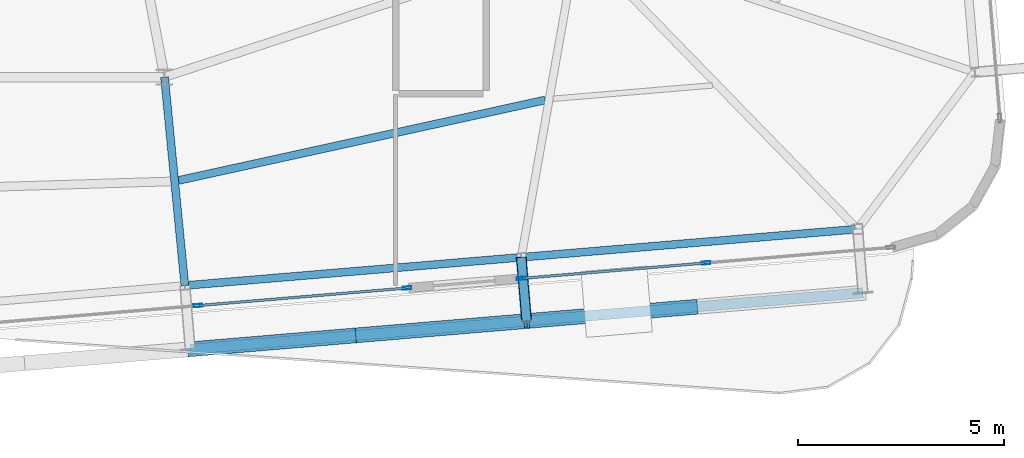
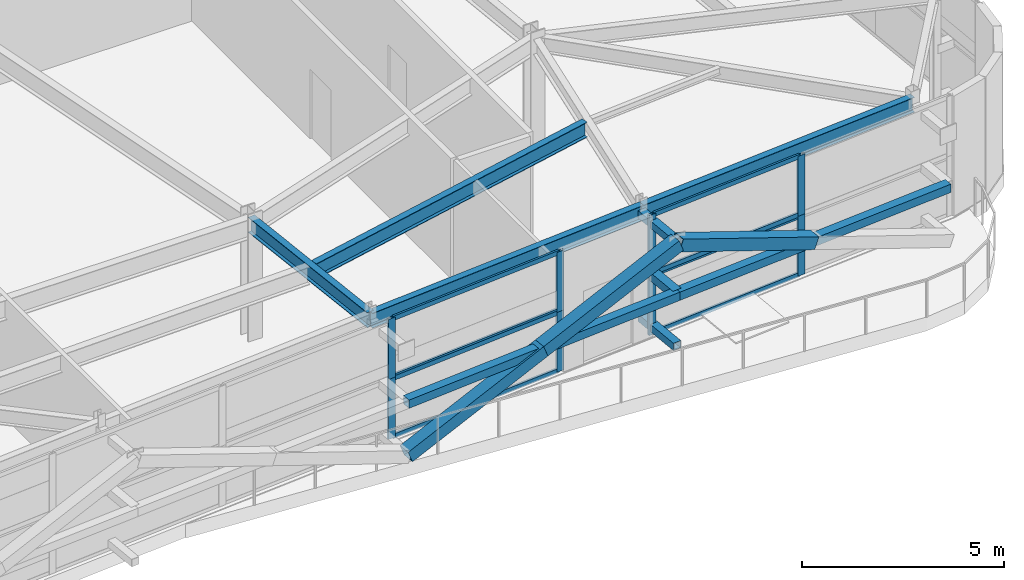
# One storey, part 14 of 38: 24 members, 4 beams, 4 elements without a shape of their own.
"""IFC4 building model written with IfcOpenShell, lengths in metres."""

from ifc_helpers import new_model, si_unit, direction, frame, origin, origin_2d, place, context, subcontext, project, spatial, hollow_rectangle, i_section, extrude, source, transform, mapped, material, layer, layer_set, material_profile, profile_set, type_object, element, aggregate, save


model = new_model("IFC4")

# Units and contexts
model_context = context("Model", 3, precision=1e-05, world=origin(), true_north=direction((0.0, 1.0)))
body_context = subcontext(model_context, "Body", "Model", "MODEL_VIEW")
ifc_project = project(units=[si_unit("LENGTHUNIT", "METRE"), si_unit("AREAUNIT", "SQUARE_METRE"), si_unit("VOLUMEUNIT", "CUBIC_METRE"), si_unit("PLANEANGLEUNIT", "RADIAN"), si_unit("MASSUNIT", "GRAM", prefix="KILO")], contexts=[model_context])

# Site, building, storey
site_placement = place(None, origin())
site = spatial("IfcSite", under=ifc_project, at=site_placement, CompositionType="ELEMENT")
building_placement = place(site_placement, origin())
building = spatial("IfcBuilding", under=site, at=building_placement, Name="Taldren Reach Tower", CompositionType="ELEMENT")
storey_placement = place(building_placement, frame((0.0, 0.0, 168.699951171875)))
storey = spatial("IfcBuildingStorey", under=building, at=storey_placement, Name="L51", CompositionType="ELEMENT", Elevation=168.699951171875)

# Member
ifc_material_1 = material(Name="Steel Gr 350 (C350L0)", Category="steel")
ifc_material_profile_1 = material_profile(ifc_material_1, hollow_rectangle(XDim=0.25, YDim=0.25, WallThickness=0.010009765625, at=origin_2d()), Name="250x250x10.0SHS")
ifc_profile_set_1 = profile_set([ifc_material_profile_1], Name="Steel Gr 350 (C350L0)")
member_type_1 = type_object("IfcMemberType", Name="MB-POST250", PredefinedType="POST", material=ifc_profile_set_1)
shared_shape_1 = source(origin(), body_context, "Body", "SweptSolid", [
    extrude(hollow_rectangle(XDim=0.25, YDim=0.25, WallThickness=0.010009765625, at=origin_2d()), origin(), (0.0, 0.0, 1.0), 1.550048828125),
])
member_1_placement = place(storey_placement, frame((50.644775390625, 4.83203125, 1.78515625), z_axis=(0.083788408178, -0.996483568683, 0.0), x_axis=(0.996483568683, 0.083788408178, 0.0)))
element("IfcMember", 1, at=member_1_placement, inside=storey, type_object=member_type_1, Name="Exoskeleton mid-tier diaphragm tie B4-S5 L51", PredefinedType="POST", context=body_context, shape_type="MappedRepresentation", body=[
    mapped(shared_shape_1, transform((0.0, 0.0, 0.0), scale=1.0)),
])

# Beams
ifc_material_2 = material(Name="Steel Gr 350 (350PLUS)", Category="steel")
ifc_material_profile_2 = material_profile(ifc_material_2, i_section(OverallWidth=0.18994140625, OverallDepth=0.4541015625, WebThickness=0.008544921875, FlangeThickness=0.0126953125, at=origin_2d()), Name="460UB67.1")
ifc_profile_set_2 = profile_set([ifc_material_profile_2], Name="Steel Gr 350 (350PLUS)")
beam_type_1 = type_object("IfcBeamType", Name="SP-UB460B", PredefinedType="SPANDREL", material=ifc_profile_set_2)
shared_shape_2 = source(origin(), body_context, "Body", "SweptSolid", [
    extrude(i_section(OverallWidth=0.18994140625, OverallDepth=0.4541015625, WebThickness=0.008544921875, FlangeThickness=0.0126953125, at=origin_2d()), origin(), (0.0, 0.0, 1.0), 8.179931640625),
])
for number, where, z_axis, x_axis, name in (
    (2, (42.49365234375, 4.1474609375, 3.403076171875), (0.99649182565, 0.08369015123, 0.0), (-0.08369015123, 0.99649182565, 0.0), "Perimeter spandrel B4 S4-S5 L51"),
    (3, (50.644775390625, 4.83203125, 3.403076171875), (0.996494523218, 0.083658025296, 0.0), (-0.083658025296, 0.996494523218, 0.0), "Perimeter spandrel B4 S5-S6 L51"),
):
    element("IfcBeam", number, at=place(storey_placement, frame(where, z_axis=z_axis, x_axis=x_axis)), inside=storey, type_object=beam_type_1, Name=name, PredefinedType="SPANDREL", context=body_context, shape_type="MappedRepresentation", body=[
        mapped(shared_shape_2, transform((0.0, 0.0, 0.0), scale=1.0)),
    ])
ifc_material_profile_3 = material_profile(ifc_material_2, i_section(OverallWidth=0.19091796875, OverallDepth=0.4599609375, WebThickness=0.010009765625, FlangeThickness=0.01611328125, at=origin_2d()), Name="460UB82.1")
ifc_profile_set_3 = profile_set([ifc_material_profile_3], Name="Steel Gr 350 (350PLUS)")
beam_type_2 = type_object("IfcBeamType", Name="BM-UB460A", PredefinedType="BEAM", material=ifc_profile_set_3)
shared_shape_3 = source(origin(), body_context, "Body", "SweptSolid", [
    extrude(i_section(OverallWidth=0.19091796875, OverallDepth=0.4599609375, WebThickness=0.010009765625, FlangeThickness=0.01611328125, at=origin_2d()), origin(), (0.0, 0.0, 1.0), 5.07666015625),
])
beam_1_placement = place(storey_placement, frame((42.0, 9.199951171875, 3.400146484375), z_axis=(0.097241716644, -0.995260794236, 0.0), x_axis=(0.995260794236, 0.097241716644, 0.0)))
element("IfcBeam", 4, at=beam_1_placement, inside=storey, type_object=beam_type_2, Name="Primary floor girder B4-S4 L51", PredefinedType="BEAM", context=body_context, shape_type="MappedRepresentation", body=[
    mapped(shared_shape_3, transform((0.0, 0.0, 0.0), scale=1.0)),
])
shared_shape_4 = source(origin(), body_context, "Body", "SweptSolid", [
    extrude(i_section(OverallWidth=0.19091796875, OverallDepth=0.4599609375, WebThickness=0.010009765625, FlangeThickness=0.01611328125, at=origin_2d()), origin(), (0.0, 0.0, 1.0), 9.09228515625),
])
beam_2_placement = place(storey_placement, frame((42.3408203125, 6.6943359375, 3.400146484375), z_axis=(0.97674420602, 0.214407919647, 0.0), x_axis=(-0.214407919647, 0.97674420602, 0.0)))
element("IfcBeam", 5, at=beam_2_placement, inside=storey, type_object=beam_type_2, Name="Secondary floor beam B4 J4 L51", PredefinedType="BEAM", context=body_context, shape_type="MappedRepresentation", body=[
    mapped(shared_shape_4, transform((0.0, 0.0, 0.0), scale=1.0)),
])

# Members
ifc_material_3 = material(Name="Steel Gr 450 (C450L0)", Category="steel")
ifc_material_profile_4 = material_profile(ifc_material_3, hollow_rectangle(XDim=0.219970703125, YDim=0.219970703125, WallThickness=0.00830078125, at=origin_2d()), Name="220x220x8.2SHS")
ifc_profile_set_4 = profile_set([ifc_material_profile_4], Name="Steel Gr 450 (C450L0)")
member_type_2 = type_object("IfcMemberType", Name="MB-TIE219", PredefinedType="STRUT", material=ifc_profile_set_4)
shared_shape_5 = source(origin(), body_context, "Body", "SweptSolid", [
    extrude(hollow_rectangle(XDim=0.219970703125, YDim=0.219970703125, WallThickness=0.00830078125, at=origin_2d()), origin(), (0.0, 0.0, 1.0), 1.550048828125),
])
for number, where, z_axis, x_axis, name in (
    (6, (50.644775390625, 4.83203125, 3.35009765625), (0.083788408178, -0.996483568683, 0.0), (0.996483568683, 0.083788408178, 0.0), "Exoskeleton diaphragm tie strut B4-S5 L51"),
    (7, (50.644775390625, 4.83203125, 0.219970703125), (0.083788408178, -0.996483568683, 0.0), (0.996483568683, 0.083788408178, 0.0), "Exoskeleton base diaphragm tie strut B4-S5 L51"),
):
    element("IfcMember", number, at=place(storey_placement, frame(where, z_axis=z_axis, x_axis=x_axis)), inside=storey, type_object=member_type_2, Name=name, PredefinedType="STRUT", context=body_context, shape_type="MappedRepresentation", body=[
        mapped(shared_shape_5, transform((0.0, 0.0, 0.0), scale=1.0)),
    ])
ifc_material_profile_5 = material_profile(ifc_material_3, hollow_rectangle(XDim=0.360107421875, YDim=0.360107421875, WallThickness=0.0126953125, at=origin_2d()), Name="360x360x12.7SHS")
ifc_profile_set_5 = profile_set([ifc_material_profile_5], Name="Steel Gr 450 (C450L0)")
member_type_3 = type_object("IfcMemberType", Name="MB-EXO356", PredefinedType="BRACE", material=ifc_profile_set_5)
shared_shape_6 = source(origin(), body_context, "Body", "SweptSolid", [
    extrude(hollow_rectangle(XDim=0.360107421875, YDim=0.360107421875, WallThickness=0.0126953125, at=origin_2d()), origin(), (0.0, 0.0, 1.0), 4.379150390625),
])
for number, where, z_axis, x_axis, name in (
    (8, (42.623291015625, 2.60302734375, 0.219970703125), (0.930676751098, 0.07810459616, 0.357407970007), (-0.083628388178, 0.996497010879, 0.0), "Exoskeleton Diagrid Brace B4-S4 L51"),
    (9, (46.698974609375, 2.945068359375, 1.78515625), (0.930691240049, 0.078161562151, 0.357357784157), (-0.083687662192, 0.996492034688, 0.0), "Exoskeleton Diagrid Brace B4-S4 L51"),
    (10, (54.850341796875, 3.629638671875, 1.78515625), (-0.930691240049, -0.078161562151, 0.357357784157), (0.083687662192, -0.996492034688, 0.0), "Exoskeleton Diagrid Brace B4-S5 L51"),
):
    element("IfcMember", number, at=place(storey_placement, frame(where, z_axis=z_axis, x_axis=x_axis)), inside=storey, type_object=member_type_3, Name=name, PredefinedType="BRACE", context=body_context, shape_type="MappedRepresentation", body=[
        mapped(shared_shape_6, transform((0.0, 0.0, 0.0), scale=1.0)),
    ])
shared_shape_7 = source(origin(), body_context, "Body", "SweptSolid", [
    extrude(hollow_rectangle(XDim=0.25, YDim=0.25, WallThickness=0.010009765625, at=origin_2d()), origin(), (0.0, 0.0, 1.0), 8.18017578125),
])
member_2_placement = place(storey_placement, frame((50.774658203125, 3.287353515625, 1.78515625), z_axis=(0.996492034688, 0.083687662192, 0.0), x_axis=(-0.083687662192, 0.996492034688, 0.0)))
element("IfcMember", 11, at=member_2_placement, inside=storey, type_object=member_type_1, Name="Exoskeleton mid-height ring chord B4-S5 L51", PredefinedType="POST", context=body_context, shape_type="MappedRepresentation", body=[
    mapped(shared_shape_7, transform((0.0, 0.0, 0.0), scale=1.0)),
])
shared_shape_8 = source(origin(), body_context, "Body", "SweptSolid", [
    extrude(hollow_rectangle(XDim=0.25, YDim=0.25, WallThickness=0.010009765625, at=origin_2d()), origin(), (0.0, 0.0, 1.0), 8.179931640625),
])
member_3_placement = place(storey_placement, frame((42.623291015625, 2.60302734375, 1.78515625), z_axis=(0.996494523218, 0.083658025296, 0.0), x_axis=(-0.083658025296, 0.996494523218, 0.0)))
element("IfcMember", 12, at=member_3_placement, inside=storey, type_object=member_type_1, Name="Exoskeleton mid-height ring chord B4-S4 L51", PredefinedType="POST", context=body_context, shape_type="MappedRepresentation", body=[
    mapped(shared_shape_8, transform((0.0, 0.0, 0.0), scale=1.0)),
])

# Curtain wall, members
ifc_material_4 = material(Name="Aluminium and Low-E Glass Unitised System", Category="aluminium")
ifc_layer = layer(ifc_material_4, 0.159912109375)
ifc_layer_set = layer_set([ifc_layer], Name="Aluminium and Low-E Glass Unitised System")
curtain_wall_type = type_object("IfcCurtainWallType", Name="CW-SYS-7", PredefinedType="NOTDEFINED", material=ifc_layer_set)
curtain_wall_1_placement = place(storey_placement, origin())
curtain_wall_1 = element("IfcCurtainWall", 13, at=curtain_wall_1_placement, inside=storey, type_object=curtain_wall_type, Name="Unitised curtain wall CW-L51-S1", PredefinedType="NOTDEFINED")
ifc_material_5 = material(Name="Anodised Aluminium 6063-T6", Category="aluminium")
ifc_material_profile_6 = material_profile(ifc_material_5, hollow_rectangle(XDim=0.074951171875, YDim=0.2099609375, WallThickness=0.00439453125, at=origin_2d()), Name="ALU-210x75x4.5RHS")
ifc_profile_set_6 = profile_set([ifc_material_profile_6], Name="Anodised Aluminium 6063-T6")
member_type_4 = type_object("IfcMemberType", Name="CW-MUL-200", PredefinedType="MULLION", material=ifc_profile_set_6)
shared_shape_9 = source(origin(), body_context, "Body", "SweptSolid", [
    extrude(hollow_rectangle(XDim=0.074951171875, YDim=0.2099609375, WallThickness=0.00439453125, at=origin_2d()), origin(), (0.0, 0.0, 1.0), 1.81494140625),
])
member_4_placement = place(storey_placement, frame((42.809814453125, 3.662353515625, 0.0), z_axis=(0.0, 0.0, 1.0), x_axis=(-0.083677915318, 0.996492853205, 0.0)))
member_4 = element("IfcMember", 14, at=member_4_placement, type_object=member_type_4, Name="CW-7 mullion 6", PredefinedType="MULLION", context=body_context, shape_type="MappedRepresentation", body=[
    mapped(shared_shape_9, transform((0.0, 0.0, 0.0), scale=1.0)),
])
member_5_placement = place(storey_placement, frame((47.87744140625, 4.087890625, 0.0), z_axis=(0.0, 0.0, 1.0), x_axis=(-0.083677915318, 0.996492853205, 0.0)))
member_5 = element("IfcMember", 15, at=member_5_placement, type_object=member_type_4, Name="CW-7 mullion 7", PredefinedType="MULLION", context=body_context, shape_type="MappedRepresentation", body=[
    mapped(shared_shape_9, transform((0.0, 0.0, 0.0), scale=1.0)),
])

curtain_wall_2_placement = place(storey_placement, origin())
curtain_wall_2 = element("IfcCurtainWall", 16, at=curtain_wall_2_placement, inside=storey, type_object=curtain_wall_type, Name="Unitised curtain wall CW-L51-S2", PredefinedType="NOTDEFINED")
member_6_placement = place(storey_placement, frame((50.642822265625, 4.320068359375, 0.0), z_axis=(0.0, 0.0, 1.0), x_axis=(-0.083677853594, 0.996492858388, 0.0)))
member_6 = element("IfcMember", 17, at=member_6_placement, type_object=member_type_4, Name="CW-7 mullion 1", PredefinedType="MULLION", context=body_context, shape_type="MappedRepresentation", body=[
    mapped(shared_shape_9, transform((0.0, 0.0, 0.0), scale=1.0)),
])
member_7_placement = place(storey_placement, frame((55.12060546875, 4.696044921875, 0.0), z_axis=(0.0, 0.0, 1.0), x_axis=(-0.083677853594, 0.996492858388, 0.0)))
member_7 = element("IfcMember", 18, at=member_7_placement, type_object=member_type_4, Name="CW-7 mullion 2", PredefinedType="MULLION", context=body_context, shape_type="MappedRepresentation", body=[
    mapped(shared_shape_9, transform((0.0, 0.0, 0.0), scale=1.0)),
])

# Member
ifc_material_profile_7 = material_profile(ifc_material_5, hollow_rectangle(XDim=0.06005859375, YDim=0.135009765625, WallThickness=0.00341796875, at=origin_2d()), Name="ALU-135x60x3.5RHS")
ifc_profile_set_7 = profile_set([ifc_material_profile_7], Name="Anodised Aluminium 6063-T6")
member_type_5 = type_object("IfcMemberType", Name="CW-TRN-150", PredefinedType="USERDEFINED", material=ifc_profile_set_7)
shared_shape_10 = source(origin(), body_context, "Body", "SweptSolid", [
    extrude(hollow_rectangle(XDim=0.06005859375, YDim=0.135009765625, WallThickness=0.00341796875, at=origin_2d()), origin(), (0.0, 0.0, 1.0), 5.010498046875),
])
member_8_placement = place(storey_placement, frame((42.84716796875, 3.665283203125, 0.030029296875), z_axis=(0.996490089596, 0.083710819712, 0.0), x_axis=(-0.083710819712, 0.996490089596, 0.0)))
member_8 = element("IfcMember", 19, at=member_8_placement, type_object=member_type_5, Name="CW-7 transom 6.1", ObjectType="TRANSOM", PredefinedType="USERDEFINED", context=body_context, shape_type="MappedRepresentation", body=[
    mapped(shared_shape_10, transform((0.0, 0.0, 0.0), scale=1.0)),
])

member_9_placement = place(storey_placement, frame((42.84716796875, 3.665283203125, 1.78515625), z_axis=(0.996490089596, 0.083710819712, 0.0), x_axis=(-0.083710819712, 0.996490089596, 0.0)))
member_9 = element("IfcMember", 20, at=member_9_placement, type_object=member_type_5, Name="CW-7 transom 6.2", ObjectType="TRANSOM", PredefinedType="USERDEFINED", context=body_context, shape_type="MappedRepresentation", body=[
    mapped(shared_shape_10, transform((0.0, 0.0, 0.0), scale=1.0)),
])

aggregate(curtain_wall_1, [member_4, member_5, member_8, member_9])

# Curtain wall, members
curtain_wall_3_placement = place(storey_placement, origin())
curtain_wall_3 = element("IfcCurtainWall", 21, at=curtain_wall_3_placement, inside=storey, type_object=curtain_wall_type, Name="Unitised curtain wall CW-L51-S1-T2", PredefinedType="NOTDEFINED")
member_10_placement = place(storey_placement, frame((42.84716796875, 3.665283203125, 1.844970703125), z_axis=(0.996490089596, 0.083710819712, 0.0), x_axis=(-0.083710819712, 0.996490089596, 0.0)))
member_10 = element("IfcMember", 22, at=member_10_placement, type_object=member_type_5, Name="CW-7 transom 6.1", ObjectType="TRANSOM", PredefinedType="USERDEFINED", context=body_context, shape_type="MappedRepresentation", body=[
    mapped(shared_shape_10, transform((0.0, 0.0, 0.0), scale=1.0)),
])
member_11_placement = place(storey_placement, frame((42.84716796875, 3.665283203125, 3.60009765625), z_axis=(0.996490089596, 0.083710819712, 0.0), x_axis=(-0.083710819712, 0.996490089596, 0.0)))
member_11 = element("IfcMember", 23, at=member_11_placement, type_object=member_type_5, Name="CW-7 transom 6.2", ObjectType="TRANSOM", PredefinedType="USERDEFINED", context=body_context, shape_type="MappedRepresentation", body=[
    mapped(shared_shape_10, transform((0.0, 0.0, 0.0), scale=1.0)),
])
shared_shape_11 = source(origin(), body_context, "Body", "SweptSolid", [
    extrude(hollow_rectangle(XDim=0.074951171875, YDim=0.2099609375, WallThickness=0.00439453125, at=origin_2d()), origin(), (0.0, 0.0, 1.0), 1.815185546875),
])
member_12_placement = place(storey_placement, frame((42.809814453125, 3.662353515625, 1.81494140625), z_axis=(0.0, 0.0, 1.0), x_axis=(-0.083677915318, 0.996492853205, 0.0)))
member_12 = element("IfcMember", 24, at=member_12_placement, type_object=member_type_4, Name="CW-7 mullion 6", PredefinedType="MULLION", context=body_context, shape_type="MappedRepresentation", body=[
    mapped(shared_shape_11, transform((0.0, 0.0, 0.0), scale=1.0)),
])
member_13_placement = place(storey_placement, frame((47.87744140625, 4.087890625, 1.81494140625), z_axis=(0.0, 0.0, 1.0), x_axis=(-0.083677915318, 0.996492853205, 0.0)))
member_13 = element("IfcMember", 25, at=member_13_placement, type_object=member_type_4, Name="CW-7 mullion 7", PredefinedType="MULLION", context=body_context, shape_type="MappedRepresentation", body=[
    mapped(shared_shape_11, transform((0.0, 0.0, 0.0), scale=1.0)),
])
aggregate(curtain_wall_3, [member_12, member_13, member_10, member_11])

curtain_wall_4_placement = place(storey_placement, origin())
curtain_wall_4 = element("IfcCurtainWall", 26, at=curtain_wall_4_placement, inside=storey, type_object=curtain_wall_type, Name="Unitised curtain wall CW-L51-S2-T2", PredefinedType="NOTDEFINED")
member_14_placement = place(storey_placement, frame((50.642822265625, 4.320068359375, 1.81494140625), z_axis=(0.0, 0.0, 1.0), x_axis=(-0.083677853594, 0.996492858388, 0.0)))
member_14 = element("IfcMember", 27, at=member_14_placement, type_object=member_type_4, Name="CW-7 mullion 1", PredefinedType="MULLION", context=body_context, shape_type="MappedRepresentation", body=[
    mapped(shared_shape_11, transform((0.0, 0.0, 0.0), scale=1.0)),
])
member_15_placement = place(storey_placement, frame((55.12060546875, 4.696044921875, 1.81494140625), z_axis=(0.0, 0.0, 1.0), x_axis=(-0.083677853594, 0.996492858388, 0.0)))
member_15 = element("IfcMember", 28, at=member_15_placement, type_object=member_type_4, Name="CW-7 mullion 2", PredefinedType="MULLION", context=body_context, shape_type="MappedRepresentation", body=[
    mapped(shared_shape_11, transform((0.0, 0.0, 0.0), scale=1.0)),
])

# Member
shared_shape_12 = source(origin(), body_context, "Body", "SweptSolid", [
    extrude(hollow_rectangle(XDim=0.06005859375, YDim=0.135009765625, WallThickness=0.00341796875, at=origin_2d()), origin(), (0.0, 0.0, 1.0), 4.41845703125),
])
member_16_placement = place(storey_placement, frame((50.68017578125, 4.3232421875, 0.030029296875), z_axis=(0.996494891974, 0.083653632739, 0.0), x_axis=(-0.083653632739, 0.996494891974, 0.0)))
member_16 = element("IfcMember", 29, at=member_16_placement, type_object=member_type_5, Name="CW-7 transom 1.1", ObjectType="TRANSOM", PredefinedType="USERDEFINED", context=body_context, shape_type="MappedRepresentation", body=[
    mapped(shared_shape_12, transform((0.0, 0.0, 0.0), scale=1.0)),
])

member_17_placement = place(storey_placement, frame((50.68017578125, 4.3232421875, 1.78515625), z_axis=(0.996494891974, 0.083653632739, 0.0), x_axis=(-0.083653632739, 0.996494891974, 0.0)))
member_17 = element("IfcMember", 30, at=member_17_placement, type_object=member_type_5, Name="CW-7 transom 1.2", ObjectType="TRANSOM", PredefinedType="USERDEFINED", context=body_context, shape_type="MappedRepresentation", body=[
    mapped(shared_shape_12, transform((0.0, 0.0, 0.0), scale=1.0)),
])

aggregate(curtain_wall_2, [member_6, member_7, member_16, member_17])

member_18_placement = place(storey_placement, frame((50.68017578125, 4.3232421875, 1.844970703125), z_axis=(0.996494891974, 0.083653632739, 0.0), x_axis=(-0.083653632739, 0.996494891974, 0.0)))
member_18 = element("IfcMember", 31, at=member_18_placement, type_object=member_type_5, Name="CW-7 transom 1.1", ObjectType="TRANSOM", PredefinedType="USERDEFINED", context=body_context, shape_type="MappedRepresentation", body=[
    mapped(shared_shape_12, transform((0.0, 0.0, 0.0), scale=1.0)),
])

member_19_placement = place(storey_placement, frame((50.68017578125, 4.3232421875, 3.60009765625), z_axis=(0.996494891974, 0.083653632739, 0.0), x_axis=(-0.083653632739, 0.996494891974, 0.0)))
member_19 = element("IfcMember", 32, at=member_19_placement, type_object=member_type_5, Name="CW-7 transom 1.2", ObjectType="TRANSOM", PredefinedType="USERDEFINED", context=body_context, shape_type="MappedRepresentation", body=[
    mapped(shared_shape_12, transform((0.0, 0.0, 0.0), scale=1.0)),
])

aggregate(curtain_wall_4, [member_14, member_15, member_18, member_19])

save(model, "model.ifc")
